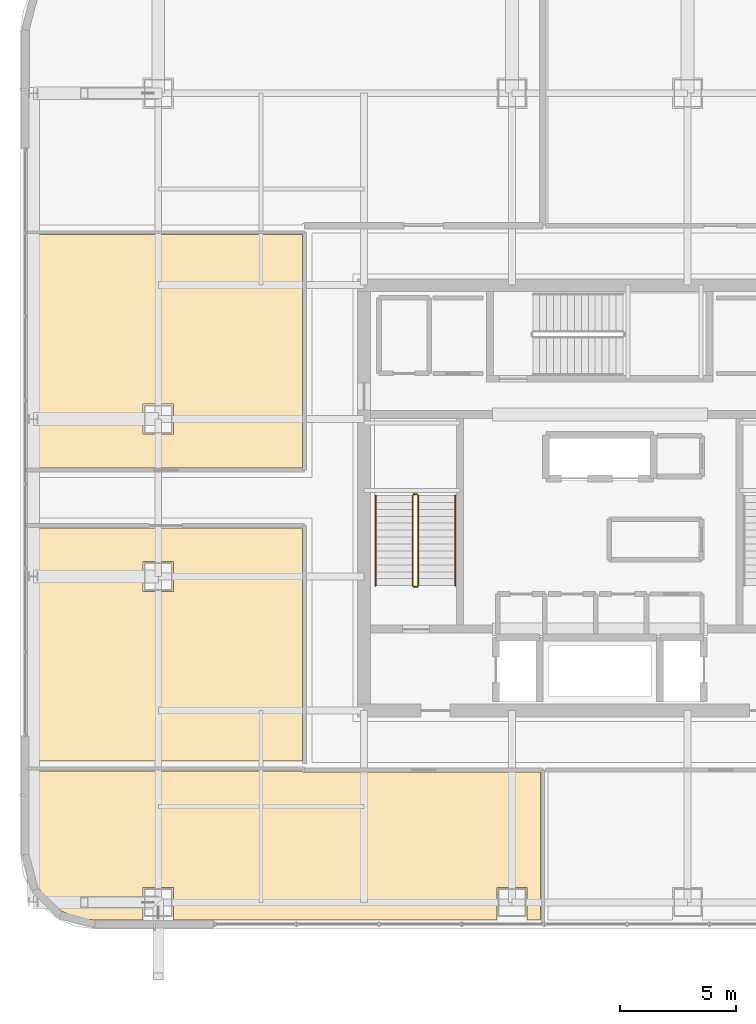
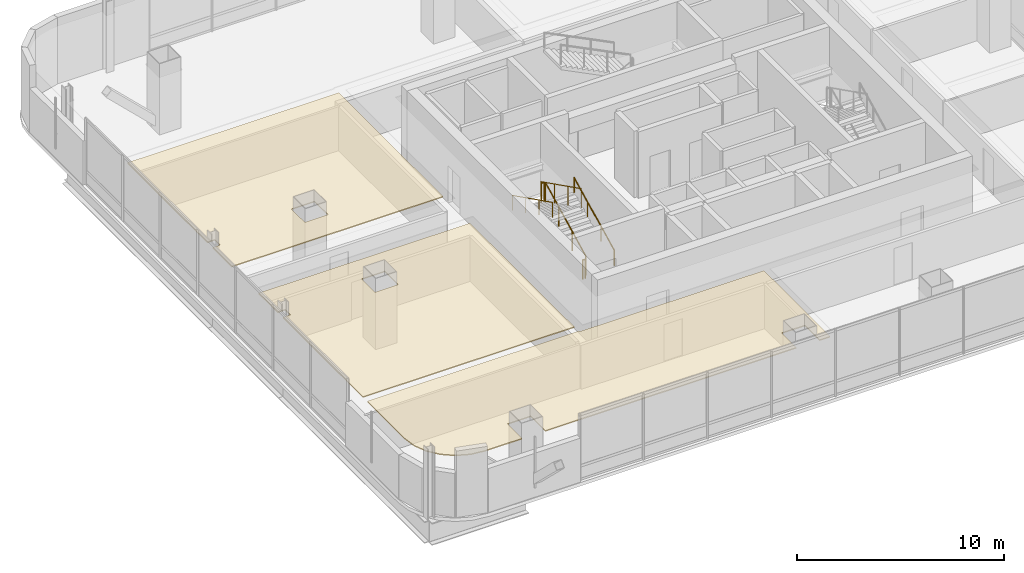
# One storey, part 40 of 51: 6 railings, 3 coverings.
"""IFC4 building model written with IfcOpenShell, lengths in metres."""

from ifc_helpers import new_model, si_unit, direction, frame, origin, origin_2d, place, context, subcontext, project, spatial, polyline, circle, outline, extrude, material, layer, layer_set, type_object, element, save


model = new_model("IFC4")

# Units and contexts
model_context = context("Model", 3, precision=1e-05, world=origin(), true_north=direction((0.0, 1.0)))
body_context = subcontext(model_context, "Body", "Model", "MODEL_VIEW")
ifc_project = project(units=[si_unit("LENGTHUNIT", "METRE"), si_unit("AREAUNIT", "SQUARE_METRE"), si_unit("VOLUMEUNIT", "CUBIC_METRE"), si_unit("PLANEANGLEUNIT", "RADIAN"), si_unit("MASSUNIT", "GRAM", prefix="KILO")], contexts=[model_context])

# Site, building, storey
site_placement = place(None, origin())
site = spatial("IfcSite", under=ifc_project, at=site_placement, CompositionType="ELEMENT")
building_placement = place(site_placement, origin())
building = spatial("IfcBuilding", under=site, at=building_placement, Name="Punatoya Terracotta Tower", CompositionType="ELEMENT")
storey_placement = place(building_placement, frame((0.0, 0.0, 313.199951171875)))
storey = spatial("IfcBuildingStorey", under=building, at=storey_placement, Name="L74", CompositionType="ELEMENT", Elevation=313.199951171875)

# Coverings
ifc_material_1 = material(Name="Acoustic Mineral Fibre Ceiling")
ifc_layer = layer(ifc_material_1, 0.06005859375)
ifc_layer_set = layer_set([ifc_layer], Name="Acoustic Mineral Fibre Ceiling")
covering_type = type_object("IfcCoveringType", Name="COV-CEIL-60", PredefinedType="CEILING", material=ifc_layer_set)
covering_1_placement = place(storey_placement, frame((0.0, 0.0, 3.39013671875)))
element("IfcCovering", 1, at=covering_1_placement, inside=storey, type_object=covering_type, Name="L74 Open-Plan Staff Wellness Studio Acoustic Ceiling", PredefinedType="CEILING", context=body_context, shape_type="SweptSolid", body=[
    extrude(outline(polyline([(-19.75, -18.27001953125), (-19.75, -16.85009765625), (-18.449951171875, -16.85009765625), (-18.449951171875, -18.27001953125), (-4.449951171875, -18.27001953125), (-4.449951171875, -16.85009765625), (-3.14990234375, -16.85009765625), (-3.14990234375, -18.27001953125), (-2.56005859375, -18.27001953125), (-2.56005859375, -11.8701171875), (-12.8701171875, -11.8701171875), (-12.8701171875, -11.81005859375), (-24.669921875, -11.81005859375), (-24.669921875, -15.425048828125), (-24.57080078125, -16.178955078125), (-24.289306640625, -16.8583984375), (-23.841796875, -17.441650390625), (-23.25830078125, -17.889404296875), (-22.5791015625, -18.1708984375), (-21.8251953125, -18.27001953125), (-19.75, -18.27001953125)])), origin(), (0.0, 0.0, 1.0), 0.059814453125),
])
covering_2_placement = place(storey_placement, frame((0.0, 0.0, 3.39013671875)))
element("IfcCovering", 2, at=covering_2_placement, inside=storey, type_object=covering_type, Name="L74 Open-Plan Leadership Training Classroom Acoustic Ceiling", PredefinedType="CEILING", context=body_context, shape_type="SweptSolid", body=[
    extrude(outline(polyline([(-24.669921875, -3.657958984375), (-24.669921875, -11.389892578125), (-12.8701171875, -11.389892578125), (-12.8701171875, -1.300048828125), (-24.669921875, -1.300048828125), (-24.669921875, -3.14208984375), (-24.2470703125, -3.14208984375), (-24.2470703125, -3.657958984375), (-24.669921875, -3.657958984375)]), holes=[polyline([(-18.449951171875, -4.050048828125), (-19.75, -4.050048828125), (-19.75, -2.75), (-18.449951171875, -2.75), (-18.449951171875, -4.050048828125)])]), origin(), (0.0, 0.0, 1.0), 0.059814453125),
])
covering_3_placement = place(storey_placement, frame((0.0, 0.0, 3.39013671875)))
element("IfcCovering", 3, at=covering_3_placement, inside=storey, type_object=covering_type, Name="L74 Open-Plan Mindfulness Wellness Room Acoustic Ceiling", PredefinedType="CEILING", context=body_context, shape_type="SweptSolid", body=[
    extrude(outline(polyline([(-12.8701171875, 1.300048828125), (-12.8701171875, 11.389892578125), (-24.669921875, 11.389892578125), (-24.669921875, 3.657958984375), (-24.2470703125, 3.657958984375), (-24.2470703125, 3.14208984375), (-24.669921875, 3.14208984375), (-24.669921875, 1.300048828125), (-12.8701171875, 1.300048828125)]), holes=[polyline([(-18.449951171875, 4.050048828125), (-18.449951171875, 2.75), (-19.75, 2.75), (-19.75, 4.050048828125), (-18.449951171875, 4.050048828125)])]), origin(), (0.0, 0.0, 1.0), 0.059814453125),
])

# Railings
ifc_material_2 = material(Name="Steel S355", Category="steel")
railing_type_1 = type_object("IfcRailingType", Name="RLG-GRD-1150", PredefinedType="GUARDRAIL", material=ifc_material_2)
railing_1_placement = place(storey_placement, frame((-7.85009765625, -3.800048828125, 0.150146484375)))
element("IfcRailing", 4, at=railing_1_placement, inside=storey, type_object=railing_type_1, Name="L74 ST-1 stair guard 1", PredefinedType="GUARDRAIL", context=body_context, shape_type="SweptSolid", body=[
    extrude(circle(Radius=0.02392578125, at=origin_2d()), frame((0.0, 0.0, 1.1259765625), z_axis=(0.0, 0.894438388696, 0.447191199406), x_axis=(-1.0, 0.0, 0.0)), (0.0, 0.0, 1.0), 4.3603515625),
    extrude(circle(Radius=0.02099609375, at=origin_2d()), origin(), (0.0, 0.0, 1.0), 1.101806640625),
    extrude(circle(Radius=0.02099609375, at=origin_2d()), frame((0.0, 1.300048828125, 0.64990234375)), (0.0, 0.0, 1.0), 1.101806640625),
    extrude(circle(Radius=0.02099609375, at=origin_2d()), frame((0.0, 2.60009765625, 1.300048828125)), (0.0, 0.0, 1.0), 1.101806640625),
    extrude(circle(Radius=0.02099609375, at=origin_2d()), frame((0.0, 3.900146484375, 1.949951171875)), (0.0, 0.0, 1.0), 1.101806640625),
])
railing_2_placement = place(storey_placement, frame((-7.89990234375, 0.14990234375, 2.10009765625)))
element("IfcRailing", 5, at=railing_2_placement, inside=storey, type_object=railing_type_1, Name="L74 ST-1 stair guard 2", PredefinedType="GUARDRAIL", context=body_context, shape_type="SweptSolid", body=[
    extrude(circle(Radius=0.02392578125, at=origin_2d()), frame((0.0, 0.0, 1.1259765625), z_axis=(-1.0, 0.0, 0.0), x_axis=(0.0, -1.0, 0.0)), (0.0, 0.0, 1.0), 0.150146484375),
    extrude(circle(Radius=0.02099609375, at=origin_2d()), origin(), (0.0, 0.0, 1.0), 1.101806640625),
    extrude(circle(Radius=0.02099609375, at=origin_2d()), frame((-0.150146484375, 0.0, 0.0)), (0.0, 0.0, 1.0), 1.101806640625),
])
railing_3_placement = place(storey_placement, frame((-8.10009765625, 0.10009765625, 2.25)))
element("IfcRailing", 6, at=railing_3_placement, inside=storey, type_object=railing_type_1, Name="L74 ST-1 stair guard 3", PredefinedType="GUARDRAIL", context=body_context, shape_type="SweptSolid", body=[
    extrude(circle(Radius=0.02392578125, at=origin_2d()), frame((0.0, 0.0, 1.1259765625), z_axis=(0.0, -0.894438388696, 0.447191199406), x_axis=(1.0, 0.0, 0.0)), (0.0, 0.0, 1.0), 4.3603515625),
    extrude(circle(Radius=0.02099609375, at=origin_2d()), origin(), (0.0, 0.0, 1.0), 1.101806640625),
    extrude(circle(Radius=0.02099609375, at=origin_2d()), frame((0.0, -1.300048828125, 0.64990234375)), (0.0, 0.0, 1.0), 1.101806640625),
    extrude(circle(Radius=0.02099609375, at=origin_2d()), frame((0.0, -2.60009765625, 1.300048828125)), (0.0, 0.0, 1.0), 1.101806640625),
    extrude(circle(Radius=0.02099609375, at=origin_2d()), frame((0.0, -3.900146484375, 1.949951171875)), (0.0, 0.0, 1.0), 1.101806640625),
])
railing_4_placement = place(storey_placement, frame((-7.89990234375, -3.85009765625, 0.0)))
element("IfcRailing", 7, at=railing_4_placement, inside=storey, type_object=railing_type_1, Name="L74 ST-1 stair guard 4", PredefinedType="GUARDRAIL", context=body_context, shape_type="SweptSolid", body=[
    extrude(circle(Radius=0.02392578125, at=origin_2d()), frame((0.0, 0.0, 1.1259765625), z_axis=(-1.0, 0.0, 0.0), x_axis=(0.0, -1.0, 0.0)), (0.0, 0.0, 1.0), 0.150146484375),
    extrude(circle(Radius=0.02099609375, at=origin_2d()), origin(), (0.0, 0.0, 1.0), 1.101806640625),
    extrude(circle(Radius=0.02099609375, at=origin_2d()), frame((-0.150146484375, 0.0, 0.0)), (0.0, 0.0, 1.0), 1.101806640625),
])
railing_type_2 = type_object("IfcRailingType", Name="RLG-HND-900", PredefinedType="HANDRAIL", material=ifc_material_2)
railing_5_placement = place(storey_placement, frame((-6.25, -3.800048828125, 0.150146484375)))
element("IfcRailing", 8, at=railing_5_placement, inside=storey, type_object=railing_type_2, Name="L74 ST-1 stair handrail 1", PredefinedType="HANDRAIL", context=body_context, shape_type="SweptSolid", body=[
    extrude(circle(Radius=0.02392578125, at=origin_2d()), frame((0.0, 0.0, 0.8759765625), z_axis=(0.0, 0.894438388696, 0.447191199406), x_axis=(-1.0, 0.0, 0.0)), (0.0, 0.0, 1.0), 4.3603515625),
    extrude(circle(Radius=0.02099609375, at=origin_2d()), origin(), (0.0, 0.0, 1.0), 0.851806640625),
    extrude(circle(Radius=0.02099609375, at=origin_2d()), frame((0.0, 1.300048828125, 0.64990234375)), (0.0, 0.0, 1.0), 0.851806640625),
    extrude(circle(Radius=0.02099609375, at=origin_2d()), frame((0.0, 2.60009765625, 1.300048828125)), (0.0, 0.0, 1.0), 0.851806640625),
    extrude(circle(Radius=0.02099609375, at=origin_2d()), frame((0.0, 3.900146484375, 1.949951171875)), (0.0, 0.0, 1.0), 0.851806640625),
])
railing_6_placement = place(storey_placement, frame((-9.699951171875, 0.10009765625, 2.25)))
element("IfcRailing", 9, at=railing_6_placement, inside=storey, type_object=railing_type_2, Name="L74 ST-1 stair handrail 2", PredefinedType="HANDRAIL", context=body_context, shape_type="SweptSolid", body=[
    extrude(circle(Radius=0.02392578125, at=origin_2d()), frame((0.0, 0.0, 0.8759765625), z_axis=(0.0, -0.894438388696, 0.447191199406), x_axis=(1.0, 0.0, 0.0)), (0.0, 0.0, 1.0), 4.3603515625),
    extrude(circle(Radius=0.02099609375, at=origin_2d()), origin(), (0.0, 0.0, 1.0), 0.851806640625),
    extrude(circle(Radius=0.02099609375, at=origin_2d()), frame((0.0, -1.300048828125, 0.64990234375)), (0.0, 0.0, 1.0), 0.851806640625),
    extrude(circle(Radius=0.02099609375, at=origin_2d()), frame((0.0, -2.60009765625, 1.300048828125)), (0.0, 0.0, 1.0), 0.851806640625),
    extrude(circle(Radius=0.02099609375, at=origin_2d()), frame((0.0, -3.900146484375, 1.949951171875)), (0.0, 0.0, 1.0), 0.851806640625),
])

save(model, "model.ifc")
